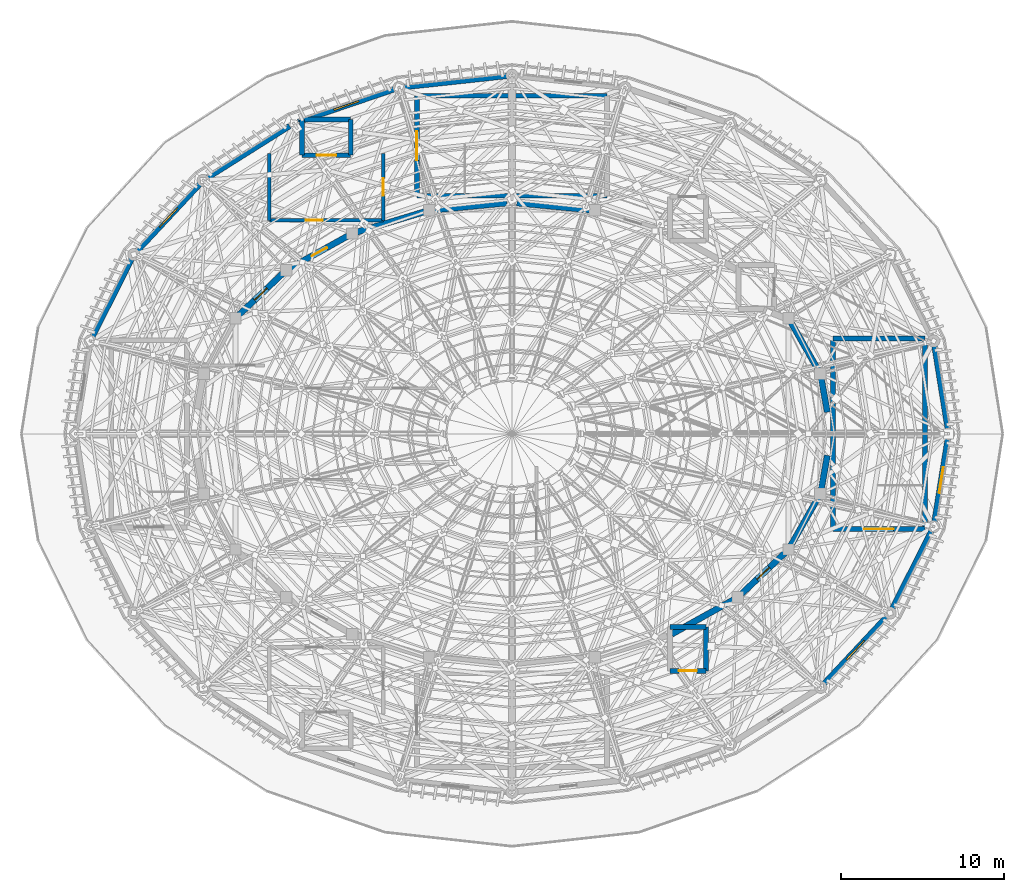
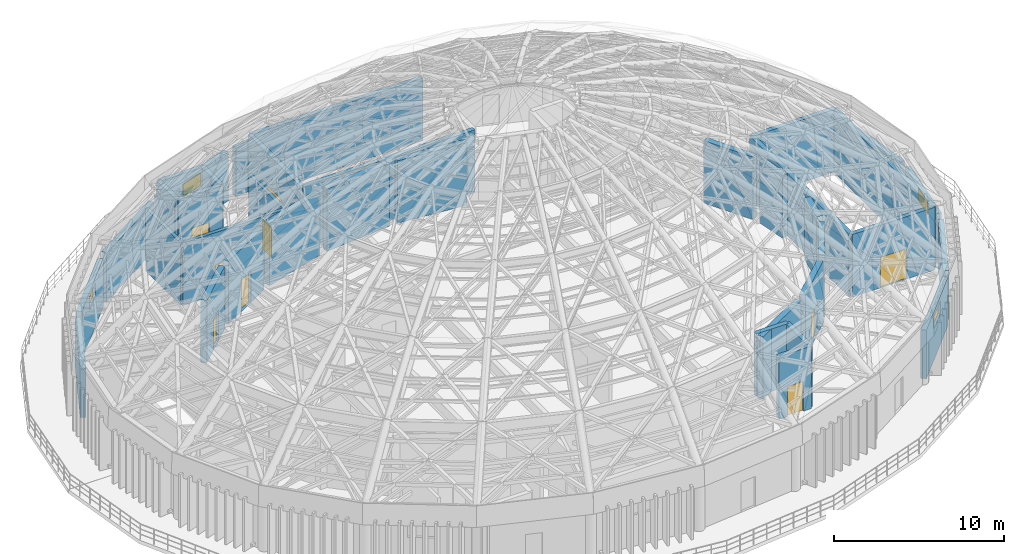
# One storey, part 40 of 50: 37 walls, 9 doors, 4 windows, 13 openings.
"""IFC4 building model written with IfcOpenShell, lengths in metres."""

from ifc_helpers import new_model, si_unit, direction, frame, frame_2d, origin, place, context, subcontext, project, spatial, rectangle, extrude, material, layer, layer_set, type_object, element, fill, save


model = new_model("IFC4")

# Units and contexts
model_context = context("Model", 3, precision=1e-05, world=origin(), true_north=direction((0.0, 1.0)))
body_context = subcontext(model_context, "Body", "Model", "MODEL_VIEW")
ifc_project = project(units=[si_unit("LENGTHUNIT", "METRE"), si_unit("AREAUNIT", "SQUARE_METRE"), si_unit("VOLUMEUNIT", "CUBIC_METRE"), si_unit("PLANEANGLEUNIT", "RADIAN"), si_unit("MASSUNIT", "GRAM", prefix="KILO")], contexts=[model_context])

# Site, building, storey
site_placement = place(None, origin())
site = spatial("IfcSite", under=ifc_project, at=site_placement, CompositionType="ELEMENT")
building_placement = place(site_placement, origin())
building = spatial("IfcBuilding", under=site, at=building_placement, Name="Cinderbank Siding Concert Hall", CompositionType="ELEMENT")
storey_placement = place(building_placement, frame((0.0, 0.0, 23.699951171875)))
storey = spatial("IfcBuildingStorey", under=building, at=storey_placement, Name="L06", CompositionType="ELEMENT", Elevation=23.699951171875)

# Walls
ifc_material_1 = material(Name="Reinforced concrete AS 3600 N50 (50 MPa)", Category="concrete")
ifc_layer_1 = layer(ifc_material_1, 0.3798828125)
ifc_layer_set_1 = layer_set([ifc_layer_1], Name="Reinforced concrete AS 3600 N50 (50 MPa)")
wall_type_1 = type_object("IfcWallType", Name="WL-01 Structural Wall 380mm", PredefinedType="SOLIDWALL", material=ifc_layer_set_1)
wall_1_placement = place(storey_placement, frame((141.358642578125, 45.328125, 0.0), z_axis=(0.0, 0.0, 1.0), x_axis=(-0.178762697271, 0.983892218723, 0.0)))
element("IfcWall", 1, at=wall_1_placement, inside=storey, type_object=wall_type_1, Name="L06 Structural Wall SW-E1-L06-01", PredefinedType="SOLIDWALL", context=body_context, shape_type="SweptSolid", body=[
    extrude(rectangle(XDim=2.1005859375, YDim=0.3798828125, at=frame_2d((1.05029296875, 0.0))), origin(), (0.0, 0.0, 1.0), 4.5),
])
wall_2_placement = place(storey_placement, frame((140.79052734375, 47.922607421875, 0.0), z_axis=(0.0, 0.0, 1.0), x_axis=(-0.496318106012, 0.868140736082, 0.0)))
element("IfcWall", 2, at=wall_2_placement, inside=storey, type_object=wall_type_1, Name="L06 Structural Wall SW-E1-L06-02", PredefinedType="SOLIDWALL", context=body_context, shape_type="SweptSolid", body=[
    extrude(rectangle(XDim=3.375, YDim=0.3798828125, at=frame_2d((1.6875, 0.0))), origin(), (0.0, 0.0, 1.0), 4.5),
])
for number, where, z_axis, x_axis, name in (
    (3, (126.789306640625, 57.7431640625, 0.0), (0.0, 0.0, 1.0), (-0.995484276796, 0.094926575052, 0.0), "L06 Structural Wall SW-E1-L06-06"),
    (4, (121.701416015625, 58.17138671875, 0.0), (0.0, 0.0, 1.0), (-0.995484276796, -0.094926575052, 0.0), "L06 Structural Wall SW-E1-L06-07"),
):
    element("IfcWall", number, at=place(storey_placement, frame(where, z_axis=z_axis, x_axis=x_axis)), inside=storey, type_object=wall_type_1, Name=name, PredefinedType="SOLIDWALL", context=body_context, shape_type="SweptSolid", body=[
        extrude(rectangle(XDim=4.510986328125, YDim=0.3798828125, at=frame_2d((2.25537109375, 0.0))), origin(), (0.0, 0.0, 1.0), 4.5),
    ])
wall_3_placement = place(storey_placement, frame((116.654052734375, 57.63427734375, 0.0), z_axis=(0.0, 0.0, 1.0), x_axis=(-0.957792414988, -0.287460762177, 0.0)))
element("IfcWall", 5, at=wall_3_placement, inside=storey, type_object=wall_type_1, Name="L06 Structural Wall SW-E1-L06-08", PredefinedType="SOLIDWALL", context=body_context, shape_type="SweptSolid", body=[
    extrude(rectangle(XDim=4.365478515625, YDim=0.3798828125, at=frame_2d((2.1826171875, 0.0))), origin(), (0.0, 0.0, 1.0), 4.5),
])

# Wall, opening, door
wall_4_placement = place(storey_placement, frame((111.950927734375, 56.1591796875, 0.0), z_axis=(0.0, 0.0, 1.0), x_axis=(-0.87401308715, -0.485902380618, 0.0)))
wall_4 = element("IfcWall", 6, at=wall_4_placement, inside=storey, type_object=wall_type_1, Name="L06 Structural Wall SW-E1-L06-09", PredefinedType="SOLIDWALL", context=body_context, shape_type="SweptSolid", body=[
    extrude(rectangle(XDim=4.074462890625, YDim=0.3798828125, at=frame_2d((2.037109375, 0.0))), origin(), (0.0, 0.0, 1.0), 4.5),
])
opening_1_placement = place(wall_4_placement, frame((1.507080078125, 0.0, 0.0)))
opening_1 = element("IfcOpeningElement", 7, at=opening_1_placement, cuts=wall_4, Name="Opening D-18", PredefinedType="OPENING", context=body_context, shape_type="SweptSolid", body=[
    extrude(rectangle(XDim=1.06005859375, YDim=2.239990234375, at=frame_2d((0.530029296875, 1.1201171875))), frame((0.0, 0.201904296875, 0.0), z_axis=(0.0, -1.0, 0.0), x_axis=(1.0, 0.0, 0.0)), (0.0, 0.0, 1.0), 0.40380859375),
])
ifc_material_2 = material(Name="Solid-core spotted gum acoustic timber", Category="wood")
door_type_1 = type_object("IfcDoorType", Name="D-18 Interior Door 1060x2240", OperationType="NOTDEFINED", PredefinedType="DOOR", material=ifc_material_2)
door_1_placement = place(opening_1_placement, origin())
door_1 = element("IfcDoor", 8, at=door_1_placement, inside=storey, type_object=door_type_1, Name="L06 Auditorium Sound-Lock Door L06-D182", OperationType="SINGLE_SWING_LEFT", OverallHeight=2.239990234375, OverallWidth=1.06005859375, PredefinedType="DOOR", context=body_context, shape_type="SweptSolid", body=[
    extrude(rectangle(XDim=1.06005859375, YDim=2.239990234375, at=frame_2d((0.530029296875, 1.1201171875))), frame((0.0, 0.02490234375, 0.0), z_axis=(0.0, -1.0, 0.0), x_axis=(1.0, 0.0, 0.0)), (0.0, 0.0, 1.0), 0.050048828125),
])
fill(opening_1, door_1)

wall_5_placement = place(storey_placement, frame((107.93359375, 53.84521484375, 0.0), z_axis=(0.0, 0.0, 1.0), x_axis=(-0.727127996206, -0.686501913423, 0.0)))
wall_5 = element("IfcWall", 9, at=wall_5_placement, inside=storey, type_object=wall_type_1, Name="L06 Structural Wall SW-E1-L06-10", PredefinedType="SOLIDWALL", context=body_context, shape_type="SweptSolid", body=[
    extrude(rectangle(XDim=3.7138671875, YDim=0.3798828125, at=frame_2d((1.85693359375, 0.0))), origin(), (0.0, 0.0, 1.0), 4.5),
])
opening_2_placement = place(wall_5_placement, frame((1.326904296875, 0.0, 0.0)))
opening_2 = element("IfcOpeningElement", 10, at=opening_2_placement, cuts=wall_5, Name="Opening D-18", PredefinedType="OPENING", context=body_context, shape_type="SweptSolid", body=[
    extrude(rectangle(XDim=1.06005859375, YDim=2.239990234375, at=frame_2d((0.530029296875, 1.1201171875))), frame((0.0, 0.201904296875, 0.0), z_axis=(0.0, -1.0, 0.0), x_axis=(1.0, 0.0, 0.0)), (0.0, 0.0, 1.0), 0.40380859375),
])
door_2_placement = place(opening_2_placement, origin())
door_2 = element("IfcDoor", 11, at=door_2_placement, inside=storey, type_object=door_type_1, Name="L06 Auditorium Sound-Lock Door L06-D183", OperationType="SINGLE_SWING_RIGHT", OverallHeight=2.239990234375, OverallWidth=1.06005859375, PredefinedType="DOOR", context=body_context, shape_type="SweptSolid", body=[
    extrude(rectangle(XDim=1.06005859375, YDim=2.239990234375, at=frame_2d((0.530029296875, 1.1201171875))), frame((0.0, 0.02490234375, 0.0), z_axis=(0.0, -1.0, 0.0), x_axis=(1.0, 0.0, 0.0)), (0.0, 0.0, 1.0), 0.050048828125),
])
fill(opening_2, door_2)

# Wall
wall_6_placement = place(storey_placement, frame((131.800048828125, 31.702392578125, 0.0), z_axis=(0.0, 0.0, 1.0), x_axis=(0.874014584072, 0.485899688031, 0.0)))
element("IfcWall", 12, at=wall_6_placement, inside=storey, type_object=wall_type_1, Name="L06 Structural Wall SW-E1-L06-21", PredefinedType="SOLIDWALL", context=body_context, shape_type="SweptSolid", body=[
    extrude(rectangle(XDim=4.359375, YDim=0.3798828125, at=frame_2d((2.1796875, 0.0))), origin(), (0.0, 0.0, 1.0), 4.5),
])

# Wall, opening, door
wall_7_placement = place(storey_placement, frame((136.06640625, 34.15478515625, 0.0), z_axis=(0.0, 0.0, 1.0), x_axis=(0.727127996206, 0.686501913423, 0.0)))
wall_7 = element("IfcWall", 13, at=wall_7_placement, inside=storey, type_object=wall_type_1, Name="L06 Structural Wall SW-E1-L06-22", PredefinedType="SOLIDWALL", context=body_context, shape_type="SweptSolid", body=[
    extrude(rectangle(XDim=3.7138671875, YDim=0.3798828125, at=frame_2d((1.85693359375, 0.0))), origin(), (0.0, 0.0, 1.0), 4.5),
])
opening_3_placement = place(wall_7_placement, frame((1.326904296875, 0.0, 0.0)))
opening_3 = element("IfcOpeningElement", 14, at=opening_3_placement, cuts=wall_7, Name="Opening D-18", PredefinedType="OPENING", context=body_context, shape_type="SweptSolid", body=[
    extrude(rectangle(XDim=1.06005859375, YDim=2.239990234375, at=frame_2d((0.530029296875, 1.1201171875))), frame((0.0, 0.201904296875, 0.0), z_axis=(0.0, -1.0, 0.0), x_axis=(1.0, 0.0, 0.0)), (0.0, 0.0, 1.0), 0.40380859375),
])
door_3_placement = place(opening_3_placement, origin())
door_3 = element("IfcDoor", 15, at=door_3_placement, inside=storey, type_object=door_type_1, Name="L06 Auditorium Sound-Lock Door L06-D186", OperationType="SINGLE_SWING_LEFT", OverallHeight=2.239990234375, OverallWidth=1.06005859375, PredefinedType="DOOR", context=body_context, shape_type="SweptSolid", body=[
    extrude(rectangle(XDim=1.06005859375, YDim=2.239990234375, at=frame_2d((0.530029296875, 1.1201171875))), frame((0.0, 0.02490234375, 0.0), z_axis=(0.0, -1.0, 0.0), x_axis=(1.0, 0.0, 0.0)), (0.0, 0.0, 1.0), 0.050048828125),
])
fill(opening_3, door_3)

# Walls
wall_8_placement = place(storey_placement, frame((139.115478515625, 37.1474609375, 0.0), z_axis=(0.0, 0.0, 1.0), x_axis=(0.496318106012, 0.868140736082, 0.0)))
element("IfcWall", 16, at=wall_8_placement, inside=storey, type_object=wall_type_1, Name="L06 Structural Wall SW-E1-L06-23", PredefinedType="SOLIDWALL", context=body_context, shape_type="SweptSolid", body=[
    extrude(rectangle(XDim=3.375, YDim=0.3798828125, at=frame_2d((1.6875, 0.0))), origin(), (0.0, 0.0, 1.0), 4.5),
])
wall_9_placement = place(storey_placement, frame((140.983154296875, 40.605224609375, 0.0), z_axis=(0.0, 0.0, 1.0), x_axis=(0.178762697271, 0.983892218723, 0.0)))
element("IfcWall", 17, at=wall_9_placement, inside=storey, type_object=wall_type_1, Name="L06 Structural Wall SW-E1-L06-24", PredefinedType="SOLIDWALL", context=body_context, shape_type="SweptSolid", body=[
    extrude(rectangle(XDim=2.1005859375, YDim=0.3798828125, at=frame_2d((1.05029296875, 0.0))), origin(), (0.0, 0.0, 1.0), 4.5),
])
ifc_layer_2 = layer(ifc_material_1, 0.35009765625)
ifc_layer_set_2 = layer_set([ifc_layer_2], Name="Reinforced concrete AS 3600 N50 (50 MPa)")
wall_type_2 = type_object("IfcWallType", Name="WL-02 Structural Wall 350mm", PredefinedType="SHEAR", material=ifc_layer_set_2)
wall_10_placement = place(storey_placement, frame((148.7509765625, 44.30615234375, 0.0), z_axis=(0.0, 0.0, 1.0), x_axis=(-0.158388253677, 0.98737690934, 0.0)))
element("IfcWall", 18, at=wall_10_placement, inside=storey, type_object=wall_type_2, Name="L06 Structural Wall SW-E2-L06-01", PredefinedType="SHEAR", context=body_context, shape_type="SweptSolid", body=[
    extrude(rectangle(XDim=5.146728515625, YDim=0.35009765625, at=frame_2d((2.5732421875, 0.0))), origin(), (0.0, 0.0, 1.0), 3.5),
])
wall_11_placement = place(storey_placement, frame((121.69189453125, 65.966796875, 0.0), z_axis=(0.0, 0.0, 1.0), x_axis=(-0.99420948753, -0.107459270912, 0.0)))
element("IfcWall", 19, at=wall_11_placement, inside=storey, type_object=wall_type_2, Name="L06 Structural Wall SW-E2-L06-07", PredefinedType="SHEAR", context=body_context, shape_type="SweptSolid", body=[
    extrude(rectangle(XDim=6.35693359375, YDim=0.35009765625, at=frame_2d((3.178466796875, 0.0))), origin(), (0.0, 0.0, 1.0), 3.5),
])

# Wall, opening, window
wall_12_placement = place(storey_placement, frame((114.77001953125, 65.150634765625, 0.0), z_axis=(0.0, 0.0, 1.0), x_axis=(-0.946761494057, -0.321935821821, 0.0)))
wall_12 = element("IfcWall", 20, at=wall_12_placement, inside=storey, type_object=wall_type_2, Name="L06 Structural Wall SW-E2-L06-08", PredefinedType="SHEAR", context=body_context, shape_type="SweptSolid", body=[
    extrude(rectangle(XDim=6.217041015625, YDim=0.35009765625, at=frame_2d((3.1083984375, 0.0))), origin(), (0.0, 0.0, 1.0), 3.5),
])
opening_4_placement = place(wall_12_placement, frame((2.30859375, 0.0, 2.25)))
opening_4 = element("IfcOpeningElement", 21, at=opening_4_placement, cuts=wall_12, Name="Opening SK-01", PredefinedType="OPENING", context=body_context, shape_type="SweptSolid", body=[
    extrude(rectangle(XDim=1.60009765625, YDim=0.89990234375, at=frame_2d((0.800048828125, 0.449951171875))), frame((0.0, 0.18701171875, 0.0), z_axis=(0.0, -1.0, 0.0), x_axis=(1.0, 0.0, 0.0)), (0.0, 0.0, 1.0), 0.3740234375),
])
ifc_material_3 = material(Name="Double-glazed laminated skylight acoustic glass", Category="glass")
window_type = type_object("IfcWindowType", Name="SK-01 Acoustic Laminated Skylight 1600x900", PartitioningType="SINGLE_PANEL", PredefinedType="SKYLIGHT", material=ifc_material_3)
window_1_placement = place(opening_4_placement, origin())
window_1 = element("IfcWindow", 22, at=window_1_placement, inside=storey, type_object=window_type, Name="Dome Springing Clerestory Skylight 07", OverallHeight=0.89990234375, OverallWidth=1.60009765625, PartitioningType="SINGLE_PANEL", PredefinedType="SKYLIGHT", context=body_context, shape_type="SweptSolid", body=[
    extrude(rectangle(XDim=1.60009765625, YDim=0.89990234375, at=frame_2d((0.800048828125, 0.449951171875))), frame((0.0, 0.030029296875, 0.0), z_axis=(0.0, -1.0, 0.0), x_axis=(1.0, 0.0, 0.0)), (0.0, 0.0, 1.0), 0.06005859375),
])
fill(opening_4, window_1)

# Wall
wall_13_placement = place(storey_placement, frame((108.34619140625, 62.892578125, 0.0), z_axis=(0.0, 0.0, 1.0), x_axis=(-0.846132783073, -0.532972150688, 0.0)))
element("IfcWall", 23, at=wall_13_placement, inside=storey, type_object=wall_type_2, Name="L06 Structural Wall SW-E2-L06-09", PredefinedType="SHEAR", context=body_context, shape_type="SweptSolid", body=[
    extrude(rectangle(XDim=5.949951171875, YDim=0.35009765625, at=frame_2d((2.97509765625, 0.0))), origin(), (0.0, 0.0, 1.0), 3.5),
])

# Wall, opening, window
wall_14_placement = place(storey_placement, frame((102.837890625, 59.329833984375, 0.0), z_axis=(0.0, 0.0, 1.0), x_axis=(-0.682886399388, -0.730524582427, 0.0)))
wall_14 = element("IfcWall", 24, at=wall_14_placement, inside=storey, type_object=wall_type_2, Name="L06 Structural Wall SW-E2-L06-10", PredefinedType="SHEAR", context=body_context, shape_type="SweptSolid", body=[
    extrude(rectangle(XDim=5.616943359375, YDim=0.35009765625, at=frame_2d((2.80859375, 0.0))), origin(), (0.0, 0.0, 1.0), 3.5),
])
opening_5_placement = place(wall_14_placement, frame((2.00830078125, 0.0, 2.25)))
opening_5 = element("IfcOpeningElement", 25, at=opening_5_placement, cuts=wall_14, Name="Opening SK-01", PredefinedType="OPENING", context=body_context, shape_type="SweptSolid", body=[
    extrude(rectangle(XDim=1.60009765625, YDim=0.89990234375, at=frame_2d((0.800048828125, 0.449951171875))), frame((0.0, 0.18701171875, 0.0), z_axis=(0.0, -1.0, 0.0), x_axis=(1.0, 0.0, 0.0)), (0.0, 0.0, 1.0), 0.3740234375),
])
window_2_placement = place(opening_5_placement, origin())
window_2 = element("IfcWindow", 26, at=window_2_placement, inside=storey, type_object=window_type, Name="Dome Springing Clerestory Skylight 09", OverallHeight=0.89990234375, OverallWidth=1.60009765625, PartitioningType="SINGLE_PANEL", PredefinedType="SKYLIGHT", context=body_context, shape_type="SweptSolid", body=[
    extrude(rectangle(XDim=1.60009765625, YDim=0.89990234375, at=frame_2d((0.800048828125, 0.449951171875))), frame((0.0, 0.030029296875, 0.0), z_axis=(0.0, -1.0, 0.0), x_axis=(1.0, 0.0, 0.0)), (0.0, 0.0, 1.0), 0.06005859375),
])
fill(opening_5, window_2)

# Wall
wall_15_placement = place(storey_placement, frame((98.65087890625, 54.72314453125, 0.0), z_axis=(0.0, 0.0, 1.0), x_axis=(-0.450512686904, -0.892770025784, 0.0)))
element("IfcWall", 27, at=wall_15_placement, inside=storey, type_object=wall_type_2, Name="L06 Structural Wall SW-E2-L06-11", PredefinedType="SHEAR", context=body_context, shape_type="SweptSolid", body=[
    extrude(rectangle(XDim=5.3232421875, YDim=0.35009765625, at=frame_2d((2.66162109375, 0.0))), origin(), (0.0, 0.0, 1.0), 3.5),
])

# Wall, opening, window
wall_16_placement = place(storey_placement, frame((141.162109375, 28.670166015625, 0.0), z_axis=(0.0, 0.0, 1.0), x_axis=(0.682886399388, 0.730524582427, 0.0)))
wall_16 = element("IfcWall", 28, at=wall_16_placement, inside=storey, type_object=wall_type_2, Name="L06 Structural Wall SW-E2-L06-22", PredefinedType="SHEAR", context=body_context, shape_type="SweptSolid", body=[
    extrude(rectangle(XDim=5.616943359375, YDim=0.35009765625, at=frame_2d((2.80859375, 0.0))), origin(), (0.0, 0.0, 1.0), 3.5),
])
opening_6_placement = place(wall_16_placement, frame((2.00830078125, 0.0, 2.25)))
opening_6 = element("IfcOpeningElement", 29, at=opening_6_placement, cuts=wall_16, Name="Opening SK-01", PredefinedType="OPENING", context=body_context, shape_type="SweptSolid", body=[
    extrude(rectangle(XDim=1.60009765625, YDim=0.89990234375, at=frame_2d((0.800048828125, 0.449951171875))), frame((0.0, 0.18701171875, 0.0), z_axis=(0.0, -1.0, 0.0), x_axis=(1.0, 0.0, 0.0)), (0.0, 0.0, 1.0), 0.3740234375),
])
window_3_placement = place(opening_6_placement, origin())
window_3 = element("IfcWindow", 30, at=window_3_placement, inside=storey, type_object=window_type, Name="Dome Springing Clerestory Skylight 21", OverallHeight=0.89990234375, OverallWidth=1.60009765625, PartitioningType="SINGLE_PANEL", PredefinedType="SKYLIGHT", context=body_context, shape_type="SweptSolid", body=[
    extrude(rectangle(XDim=1.60009765625, YDim=0.89990234375, at=frame_2d((0.800048828125, 0.449951171875))), frame((0.0, 0.030029296875, 0.0), z_axis=(0.0, -1.0, 0.0), x_axis=(1.0, 0.0, 0.0)), (0.0, 0.0, 1.0), 0.06005859375),
])
fill(opening_6, window_3)

# Wall
wall_17_placement = place(storey_placement, frame((145.34912109375, 33.27685546875, 0.0), z_axis=(0.0, 0.0, 1.0), x_axis=(0.450512686904, 0.892770025784, 0.0)))
element("IfcWall", 31, at=wall_17_placement, inside=storey, type_object=wall_type_2, Name="L06 Structural Wall SW-E2-L06-23", PredefinedType="SHEAR", context=body_context, shape_type="SweptSolid", body=[
    extrude(rectangle(XDim=5.3232421875, YDim=0.35009765625, at=frame_2d((2.66162109375, 0.0))), origin(), (0.0, 0.0, 1.0), 3.5),
])

# Wall, opening, window
wall_18_placement = place(storey_placement, frame((147.935791015625, 38.612060546875, 0.0), z_axis=(0.0, 0.0, 1.0), x_axis=(0.158388253677, 0.98737690934, 0.0)))
wall_18 = element("IfcWall", 32, at=wall_18_placement, inside=storey, type_object=wall_type_2, Name="L06 Structural Wall SW-E2-L06-24", PredefinedType="SHEAR", context=body_context, shape_type="SweptSolid", body=[
    extrude(rectangle(XDim=5.146728515625, YDim=0.35009765625, at=frame_2d((2.5732421875, 0.0))), origin(), (0.0, 0.0, 1.0), 3.5),
])
opening_7_placement = place(wall_18_placement, frame((1.7734375, 0.0, 2.25)))
opening_7 = element("IfcOpeningElement", 33, at=opening_7_placement, cuts=wall_18, Name="Opening SK-01", PredefinedType="OPENING", context=body_context, shape_type="SweptSolid", body=[
    extrude(rectangle(XDim=1.60009765625, YDim=0.89990234375, at=frame_2d((0.800048828125, 0.449951171875))), frame((0.0, 0.18701171875, 0.0), z_axis=(0.0, -1.0, 0.0), x_axis=(1.0, 0.0, 0.0)), (0.0, 0.0, 1.0), 0.3740234375),
])
window_4_placement = place(opening_7_placement, origin())
window_4 = element("IfcWindow", 34, at=window_4_placement, inside=storey, type_object=window_type, Name="Dome Springing Clerestory Skylight 23", OverallHeight=0.89990234375, OverallWidth=1.60009765625, PartitioningType="SINGLE_PANEL", PredefinedType="SKYLIGHT", context=body_context, shape_type="SweptSolid", body=[
    extrude(rectangle(XDim=1.60009765625, YDim=0.89990234375, at=frame_2d((0.800048828125, 0.449951171875))), frame((0.0, 0.030029296875, 0.0), z_axis=(0.0, -1.0, 0.0), x_axis=(1.0, 0.0, 0.0)), (0.0, 0.0, 1.0), 0.06005859375),
])
fill(opening_7, window_4)

# Wall, opening, door
ifc_layer_3 = layer(ifc_material_1, 0.300048828125)
ifc_layer_set_3 = layer_set([ifc_layer_3], Name="Reinforced concrete AS 3600 N50 (50 MPa)")
wall_type_3 = type_object("IfcWallType", Name="WL-03 Structural Wall 300mm", PredefinedType="SHEAR", material=ifc_layer_set_3)
wall_19_placement = place(storey_placement, frame((116.159912109375, 58.610107421875, 0.0), z_axis=(0.0, 0.0, 1.0), x_axis=(0.0, 1.0, 0.0)))
wall_19 = element("IfcWall", 35, at=wall_19_placement, inside=storey, type_object=wall_type_3, Name="L06 ST-01 Core Wall ENTRY", PredefinedType="SHEAR", context=body_context, shape_type="SweptSolid", body=[
    extrude(rectangle(XDim=6.139892578125, YDim=0.300048828125, at=frame_2d((3.06982421875, 0.0))), origin(), (0.0, 0.0, 1.0), 4.5),
])
opening_8_placement = place(wall_19_placement, frame((2.169921875, 0.0, 0.0)))
opening_8 = element("IfcOpeningElement", 36, at=opening_8_placement, cuts=wall_19, Name="Opening D-05", PredefinedType="OPENING", context=body_context, shape_type="SweptSolid", body=[
    extrude(rectangle(XDim=1.800048828125, YDim=2.199951171875, at=frame_2d((0.89990234375, 1.10009765625))), frame((0.0, 0.162109375, 0.0), z_axis=(0.0, -1.0, 0.0), x_axis=(1.0, 0.0, 0.0)), (0.0, 0.0, 1.0), 0.323974609375),
])
ifc_material_4 = material(Name="Galvanised sheet steel acoustic fire door assembly", Category="steel")
door_type_2 = type_object("IfcDoorType", Name="D-05 Interior Door 1800x2200", OperationType="DOUBLE_DOOR_SINGLE_SWING", PredefinedType="DOOR", material=ifc_material_4)
door_4_placement = place(opening_8_placement, origin())
door_4 = element("IfcDoor", 37, at=door_4_placement, inside=storey, type_object=door_type_2, Name="L06 ST-01 Fire Stair Door L06-D007", OperationType="DOUBLE_DOOR_SINGLE_SWING", OverallHeight=2.199951171875, OverallWidth=1.800048828125, PredefinedType="DOOR", context=body_context, shape_type="SweptSolid", body=[
    extrude(rectangle(XDim=1.800048828125, YDim=2.199951171875, at=frame_2d((0.89990234375, 1.10009765625))), frame((0.0, 0.02490234375, 0.0), z_axis=(0.0, -1.0, 0.0), x_axis=(1.0, 0.0, 0.0)), (0.0, 0.0, 1.0), 0.050048828125),
])
fill(opening_8, door_4)

# Walls
for number, where, z_axis, x_axis, name in (
    (38, (127.840087890625, 58.610107421875, 0.0), (0.0, 0.0, 1.0), (-1.0, 0.0, 0.0), "L06 ST-01 Core Wall SIDE1"),
    (39, (116.159912109375, 64.75, 0.0), (0.0, 0.0, 1.0), (1.0, 0.0, 0.0), "L06 ST-01 Core Wall SIDE2"),
):
    element("IfcWall", number, at=place(storey_placement, frame(where, z_axis=z_axis, x_axis=x_axis)), inside=storey, type_object=wall_type_3, Name=name, PredefinedType="SHEAR", context=body_context, shape_type="SweptSolid", body=[
        extrude(rectangle(XDim=11.68017578125, YDim=0.300048828125, at=frame_2d((5.840087890625, 0.0))), origin(), (0.0, 0.0, 1.0), 4.5),
    ])

# Wall, opening, door
wall_20_placement = place(storey_placement, frame((147.340087890625, 38.159912109375, 0.0), z_axis=(0.0, 0.0, 1.0), x_axis=(-1.0, 0.0, 0.0)))
wall_20 = element("IfcWall", 40, at=wall_20_placement, inside=storey, type_object=wall_type_3, Name="L06 ST-03 Core Wall ENTRY", PredefinedType="SHEAR", context=body_context, shape_type="SweptSolid", body=[
    extrude(rectangle(XDim=5.64013671875, YDim=0.300048828125, at=frame_2d((2.820068359375, 0.0))), origin(), (0.0, 0.0, 1.0), 4.5),
])
opening_9_placement = place(wall_20_placement, frame((1.919921875, 0.0, 0.0)))
opening_9 = element("IfcOpeningElement", 41, at=opening_9_placement, cuts=wall_20, Name="Opening D-05", PredefinedType="OPENING", context=body_context, shape_type="SweptSolid", body=[
    extrude(rectangle(XDim=1.800048828125, YDim=2.199951171875, at=frame_2d((0.89990234375, 1.10009765625))), frame((0.0, 0.162109375, 0.0), z_axis=(0.0, -1.0, 0.0), x_axis=(1.0, 0.0, 0.0)), (0.0, 0.0, 1.0), 0.323974609375),
])
door_5_placement = place(opening_9_placement, origin())
door_5 = element("IfcDoor", 42, at=door_5_placement, inside=storey, type_object=door_type_2, Name="L06 ST-03 Fire Stair Door L06-D021", OperationType="DOUBLE_DOOR_SINGLE_SWING", OverallHeight=2.199951171875, OverallWidth=1.800048828125, PredefinedType="DOOR", context=body_context, shape_type="SweptSolid", body=[
    extrude(rectangle(XDim=1.800048828125, YDim=2.199951171875, at=frame_2d((0.89990234375, 1.10009765625))), frame((0.0, 0.02490234375, 0.0), z_axis=(0.0, -1.0, 0.0), x_axis=(1.0, 0.0, 0.0)), (0.0, 0.0, 1.0), 0.050048828125),
])
fill(opening_9, door_5)

# Walls
wall_21_placement = place(storey_placement, frame((141.699951171875, 49.840087890625, 0.0), z_axis=(0.0, 0.0, 1.0), x_axis=(1.0, 0.0, 0.0)))
element("IfcWall", 43, at=wall_21_placement, inside=storey, type_object=wall_type_3, Name="L06 ST-03 Core Wall FAR", PredefinedType="SHEAR", context=body_context, shape_type="SweptSolid", body=[
    extrude(rectangle(XDim=5.64013671875, YDim=0.300048828125, at=frame_2d((2.820068359375, 0.0))), origin(), (0.0, 0.0, 1.0), 4.5),
])
for number, where, z_axis, x_axis, name in (
    (44, (147.340087890625, 49.840087890625, 0.0), (0.0, 0.0, 1.0), (0.0, -1.0, 0.0), "L06 ST-03 Core Wall SIDE1"),
    (45, (141.699951171875, 38.159912109375, 0.0), (0.0, 0.0, 1.0), (0.0, 1.0, 0.0), "L06 ST-03 Core Wall SIDE2"),
):
    element("IfcWall", number, at=place(storey_placement, frame(where, z_axis=z_axis, x_axis=x_axis)), inside=storey, type_object=wall_type_3, Name=name, PredefinedType="SHEAR", context=body_context, shape_type="SweptSolid", body=[
        extrude(rectangle(XDim=11.68017578125, YDim=0.300048828125, at=frame_2d((5.840087890625, 0.0))), origin(), (0.0, 0.0, 1.0), 4.5),
    ])

# Wall, opening, door
wall_22_placement = place(storey_placement, frame((133.89990234375, 29.449951171875, 0.0), z_axis=(0.0, 0.0, 1.0), x_axis=(-1.0, 0.0, 0.0)))
wall_22 = element("IfcWall", 46, at=wall_22_placement, inside=storey, type_object=wall_type_3, Name="L06 LF-02 Shaft Wall -Y", PredefinedType="SHEAR", context=body_context, shape_type="SweptSolid", body=[
    extrude(rectangle(XDim=2.199951171875, YDim=0.300048828125, at=frame_2d((1.10009765625, 0.0))), origin(), (0.0, 0.0, 1.0), 4.5),
])
opening_10_placement = place(wall_22_placement, frame((0.550048828125, 0.0, 0.0)))
opening_10 = element("IfcOpeningElement", 47, at=opening_10_placement, cuts=wall_22, Name="Opening LD-01", PredefinedType="OPENING", context=body_context, shape_type="SweptSolid", body=[
    extrude(rectangle(XDim=1.10009765625, YDim=2.14990234375, at=frame_2d((0.550048828125, 1.074951171875))), frame((0.0, 0.162109375, 0.0), z_axis=(0.0, -1.0, 0.0), x_axis=(1.0, 0.0, 0.0)), (0.0, 0.0, 1.0), 0.323974609375),
])
door_type_3 = type_object("IfcDoorType", Name="LD-01 Interior Door 1100x2150", OperationType="DOUBLE_DOOR_SLIDING", PredefinedType="DOOR", material=ifc_material_4)
door_6_placement = place(opening_10_placement, origin())
door_6 = element("IfcDoor", 48, at=door_6_placement, inside=storey, type_object=door_type_3, Name="L06 LF-02 Sliding Landing Door", OperationType="DOUBLE_DOOR_SLIDING", OverallHeight=2.14990234375, OverallWidth=1.10009765625, PredefinedType="DOOR", context=body_context, shape_type="SweptSolid", body=[
    extrude(rectangle(XDim=1.10009765625, YDim=2.14990234375, at=frame_2d((0.550048828125, 1.074951171875))), frame((0.0, 0.02490234375, 0.0), z_axis=(0.0, -1.0, 0.0), x_axis=(1.0, 0.0, 0.0)), (0.0, 0.0, 1.0), 0.050048828125),
])
fill(opening_10, door_6)

# Walls
wall_23_placement = place(storey_placement, frame((133.89990234375, 32.14990234375, 0.0), z_axis=(0.0, 0.0, 1.0), x_axis=(0.0, -1.0, 0.0)))
element("IfcWall", 49, at=wall_23_placement, inside=storey, type_object=wall_type_3, Name="L06 LF-02 Shaft Wall +X", PredefinedType="SHEAR", context=body_context, shape_type="SweptSolid", body=[
    extrude(rectangle(XDim=2.699951171875, YDim=0.300048828125, at=frame_2d((1.35009765625, 0.0))), origin(), (0.0, 0.0, 1.0), 4.5),
])
wall_24_placement = place(storey_placement, frame((131.699951171875, 32.14990234375, 0.0), z_axis=(0.0, 0.0, 1.0), x_axis=(1.0, 0.0, 0.0)))
element("IfcWall", 50, at=wall_24_placement, inside=storey, type_object=wall_type_3, Name="L06 LF-02 Shaft Wall +Y", PredefinedType="SHEAR", context=body_context, shape_type="SweptSolid", body=[
    extrude(rectangle(XDim=2.199951171875, YDim=0.300048828125, at=frame_2d((1.10009765625, 0.0))), origin(), (0.0, 0.0, 1.0), 4.5),
])

# Wall, opening, door
wall_25_placement = place(storey_placement, frame((112.10009765625, 61.10009765625, 0.0), z_axis=(0.0, 0.0, 1.0), x_axis=(-1.0, 0.0, 0.0)))
wall_25 = element("IfcWall", 51, at=wall_25_placement, inside=storey, type_object=wall_type_3, Name="L06 LF-04 Shaft Wall -Y", PredefinedType="SHEAR", context=body_context, shape_type="SweptSolid", body=[
    extrude(rectangle(XDim=3.0, YDim=0.300048828125, at=frame_2d((1.5, 0.0))), origin(), (0.0, 0.0, 1.0), 4.5),
])
opening_11_placement = place(wall_25_placement, frame((0.89990234375, 0.0, 0.0)))
opening_11 = element("IfcOpeningElement", 52, at=opening_11_placement, cuts=wall_25, Name="Opening LD-02", PredefinedType="OPENING", context=body_context, shape_type="SweptSolid", body=[
    extrude(rectangle(XDim=1.199951171875, YDim=2.14990234375, at=frame_2d((0.60009765625, 1.074951171875))), frame((0.0, 0.162109375, 0.0), z_axis=(0.0, -1.0, 0.0), x_axis=(1.0, 0.0, 0.0)), (0.0, 0.0, 1.0), 0.323974609375),
])
door_type_4 = type_object("IfcDoorType", Name="LD-02 Interior Door 1200x2150", OperationType="DOUBLE_DOOR_SLIDING", PredefinedType="DOOR", material=ifc_material_4)
door_7_placement = place(opening_11_placement, origin())
door_7 = element("IfcDoor", 53, at=door_7_placement, inside=storey, type_object=door_type_4, Name="L06 LF-04 Sliding Landing Door", OperationType="DOUBLE_DOOR_SLIDING", OverallHeight=2.14990234375, OverallWidth=1.199951171875, PredefinedType="DOOR", context=body_context, shape_type="SweptSolid", body=[
    extrude(rectangle(XDim=1.199951171875, YDim=2.14990234375, at=frame_2d((0.60009765625, 1.074951171875))), frame((0.0, 0.02490234375, 0.0), z_axis=(0.0, -1.0, 0.0), x_axis=(1.0, 0.0, 0.0)), (0.0, 0.0, 1.0), 0.050048828125),
])
fill(opening_11, door_7)

# Walls
wall_26_placement = place(storey_placement, frame((112.10009765625, 63.300048828125, 0.0), z_axis=(0.0, 0.0, 1.0), x_axis=(0.0, -1.0, 0.0)))
element("IfcWall", 54, at=wall_26_placement, inside=storey, type_object=wall_type_3, Name="L06 LF-04 Shaft Wall +X", PredefinedType="SHEAR", context=body_context, shape_type="SweptSolid", body=[
    extrude(rectangle(XDim=2.199951171875, YDim=0.300048828125, at=frame_2d((1.10009765625, 0.0))), origin(), (0.0, 0.0, 1.0), 4.5),
])
wall_27_placement = place(storey_placement, frame((109.10009765625, 63.300048828125, 0.0), z_axis=(0.0, 0.0, 1.0), x_axis=(1.0, 0.0, 0.0)))
element("IfcWall", 55, at=wall_27_placement, inside=storey, type_object=wall_type_3, Name="L06 LF-04 Shaft Wall +Y", PredefinedType="SHEAR", context=body_context, shape_type="SweptSolid", body=[
    extrude(rectangle(XDim=3.0, YDim=0.300048828125, at=frame_2d((1.5, 0.0))), origin(), (0.0, 0.0, 1.0), 4.5),
])
wall_28_placement = place(storey_placement, frame((109.10009765625, 61.10009765625, 0.0), z_axis=(0.0, 0.0, 1.0), x_axis=(0.0, 1.0, 0.0)))
element("IfcWall", 56, at=wall_28_placement, inside=storey, type_object=wall_type_3, Name="L06 LF-04 Shaft Wall -X", PredefinedType="SHEAR", context=body_context, shape_type="SweptSolid", body=[
    extrude(rectangle(XDim=2.199951171875, YDim=0.300048828125, at=frame_2d((1.10009765625, 0.0))), origin(), (0.0, 0.0, 1.0), 4.5),
])

# Wall, opening, door
ifc_layer_4 = layer(ifc_material_1, 0.219970703125)
ifc_layer_set_4 = layer_set([ifc_layer_4], Name="Reinforced concrete AS 3600 N50 (50 MPa)")
wall_type_4 = type_object("IfcWallType", Name="WL-06 Interior Wall 220mm", PredefinedType="SOLIDWALL", material=ifc_layer_set_4)
wall_29_placement = place(storey_placement, frame((114.10009765625, 57.10009765625, 0.0), z_axis=(0.0, 0.0, 1.0), x_axis=(-1.0, 0.0, 0.0)))
wall_29 = element("IfcWall", 57, at=wall_29_placement, inside=storey, type_object=wall_type_4, Name="L06 Firefighting Lobby Wall FFLN-S", PredefinedType="SOLIDWALL", context=body_context, shape_type="SweptSolid", body=[
    extrude(rectangle(XDim=7.0, YDim=0.219970703125, at=frame_2d((3.5, 0.0))), origin(), (0.0, 0.0, 1.0), 4.485107421875),
])
opening_12_placement = place(wall_29_placement, frame((3.72509765625, 0.0, 0.0)))
opening_12 = element("IfcOpeningElement", 58, at=opening_12_placement, cuts=wall_29, Name="Opening D-02", PredefinedType="OPENING", context=body_context, shape_type="SweptSolid", body=[
    extrude(rectangle(XDim=1.050048828125, YDim=2.14990234375, at=frame_2d((0.52490234375, 1.074951171875))), frame((0.0, 0.1220703125, 0.0), z_axis=(0.0, -1.0, 0.0), x_axis=(1.0, 0.0, 0.0)), (0.0, 0.0, 1.0), 0.243896484375),
])
door_type_5 = type_object("IfcDoorType", Name="D-02 Interior Door 1050x2150", OperationType="NOTDEFINED", PredefinedType="DOOR", material=ifc_material_4)
door_8_placement = place(opening_12_placement, origin())
door_8 = element("IfcDoor", 59, at=door_8_placement, inside=storey, type_object=door_type_5, Name="L06 Firefighting Lobby Door L06-D086", OperationType="SINGLE_SWING_LEFT", OverallHeight=2.14990234375, OverallWidth=1.050048828125, PredefinedType="DOOR", context=body_context, shape_type="SweptSolid", body=[
    extrude(rectangle(XDim=1.050048828125, YDim=2.14990234375, at=frame_2d((0.52490234375, 1.074951171875))), frame((0.0, 0.02490234375, 0.0), z_axis=(0.0, -1.0, 0.0), x_axis=(1.0, 0.0, 0.0)), (0.0, 0.0, 1.0), 0.050048828125),
])
fill(opening_12, door_8)

# Wall
wall_30_placement = place(storey_placement, frame((107.10009765625, 57.10009765625, 0.0), z_axis=(0.0, 0.0, 1.0), x_axis=(0.0, 1.0, 0.0)))
element("IfcWall", 60, at=wall_30_placement, inside=storey, type_object=wall_type_4, Name="L06 Firefighting Lobby Wall FFLN-W", PredefinedType="SOLIDWALL", context=body_context, shape_type="SweptSolid", body=[
    extrude(rectangle(XDim=4.099853515625, YDim=0.219970703125, at=frame_2d((2.0498046875, 0.0))), origin(), (0.0, 0.0, 1.0), 4.485107421875),
])

# Wall, opening, door
wall_31_placement = place(storey_placement, frame((114.10009765625, 61.199951171875, 0.0), z_axis=(0.0, 0.0, 1.0), x_axis=(0.0, -1.0, 0.0)))
wall_31 = element("IfcWall", 61, at=wall_31_placement, inside=storey, type_object=wall_type_4, Name="L06 Firefighting Lobby Wall FFLN-E", PredefinedType="SOLIDWALL", context=body_context, shape_type="SweptSolid", body=[
    extrude(rectangle(XDim=4.099853515625, YDim=0.219970703125, at=frame_2d((2.0498046875, 0.0))), origin(), (0.0, 0.0, 1.0), 4.485107421875),
])
opening_13_placement = place(wall_31_placement, frame((1.52490234375, 0.0, 0.0)))
opening_13 = element("IfcOpeningElement", 62, at=opening_13_placement, cuts=wall_31, Name="Opening D-02", PredefinedType="OPENING", context=body_context, shape_type="SweptSolid", body=[
    extrude(rectangle(XDim=1.050048828125, YDim=2.14990234375, at=frame_2d((0.52490234375, 1.074951171875))), frame((0.0, 0.1220703125, 0.0), z_axis=(0.0, -1.0, 0.0), x_axis=(1.0, 0.0, 0.0)), (0.0, 0.0, 1.0), 0.243896484375),
])
door_9_placement = place(opening_13_placement, origin())
door_9 = element("IfcDoor", 63, at=door_9_placement, inside=storey, type_object=door_type_5, Name="L06 Firefighting Lobby Door L06-D087", OperationType="SINGLE_SWING_RIGHT", OverallHeight=2.14990234375, OverallWidth=1.050048828125, PredefinedType="DOOR", context=body_context, shape_type="SweptSolid", body=[
    extrude(rectangle(XDim=1.050048828125, YDim=2.14990234375, at=frame_2d((0.52490234375, 1.074951171875))), frame((0.0, 0.02490234375, 0.0), z_axis=(0.0, -1.0, 0.0), x_axis=(1.0, 0.0, 0.0)), (0.0, 0.0, 1.0), 0.050048828125),
])
fill(opening_13, door_9)

save(model, "model.ifc")
